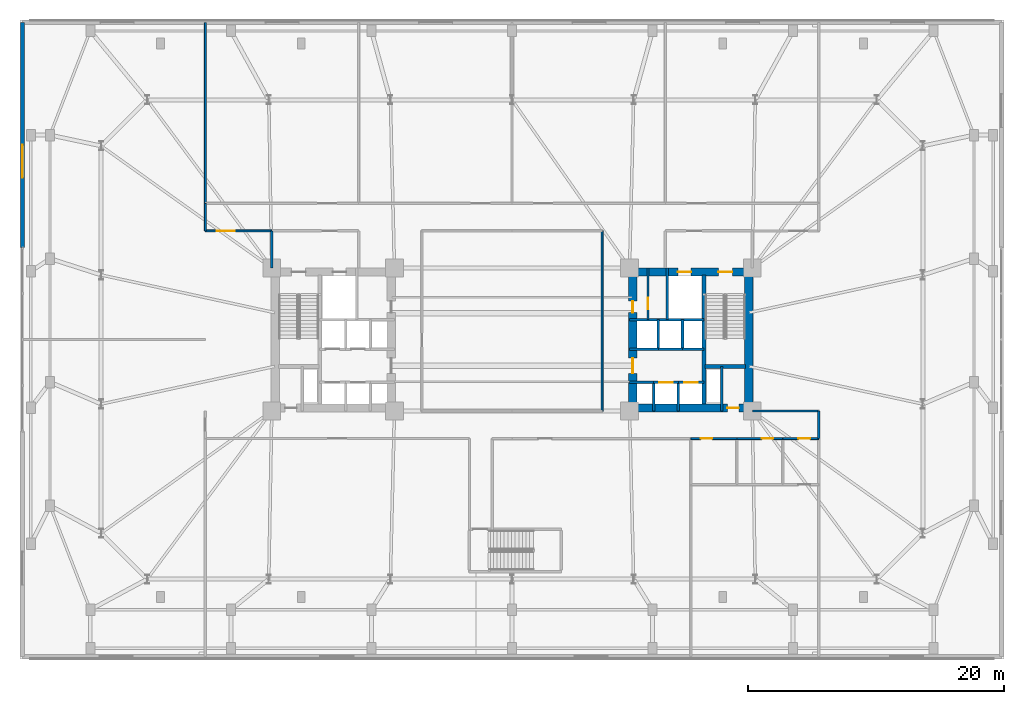
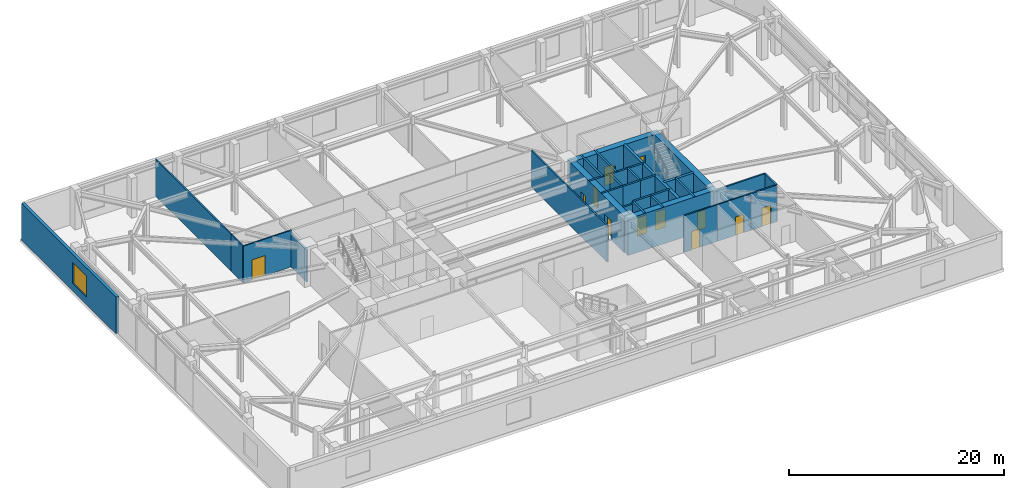
# One storey, part 16 of 23: 31 walls, 12 doors, 1 window, 13 openings.
"""IFC4 building model written with IfcOpenShell, lengths in metres."""

from ifc_helpers import new_model, si_unit, direction, frame, frame_2d, origin, place, context, subcontext, project, spatial, rectangle, extrude, material, layer, layer_set, type_object, element, fill, save


model = new_model("IFC4")

# Units and contexts
model_context = context("Model", 3, precision=1e-05, world=origin(), true_north=direction((0.0, 1.0)))
body_context = subcontext(model_context, "Body", "Model", "MODEL_VIEW")
ifc_project = project(units=[si_unit("LENGTHUNIT", "METRE"), si_unit("AREAUNIT", "SQUARE_METRE"), si_unit("VOLUMEUNIT", "CUBIC_METRE"), si_unit("PLANEANGLEUNIT", "RADIAN"), si_unit("MASSUNIT", "GRAM", prefix="KILO")], contexts=[model_context])

# Site, building, storey
site_placement = place(None, origin())
site = spatial("IfcSite", under=ifc_project, at=site_placement, CompositionType="ELEMENT")
building_placement = place(site_placement, origin())
building = spatial("IfcBuilding", under=site, at=building_placement, Name="Qobustan Lattice House", CompositionType="ELEMENT")
storey_placement = place(building_placement, frame((0.0, 0.0, 9.0)))
storey = spatial("IfcBuildingStorey", under=building, at=storey_placement, Name="L02", CompositionType="ELEMENT", Elevation=9.0)

# Wall, openings, doors
ifc_material_1 = material(Name="Concrete C60/75", Category="concrete")
ifc_layer_1 = layer(ifc_material_1, 0.639892578125)
ifc_layer_set_1 = layer_set([ifc_layer_1], Name="Concrete C60/75")
wall_type_1 = type_object("IfcWallType", Name="WAL-CORE-640", PredefinedType="SHEAR", material=ifc_layer_set_1)
wall_1_placement = place(storey_placement, frame((9.199951171875, 5.280029296875, 0.0), z_axis=(0.0, 0.0, 1.0), x_axis=(1.0, 0.0, 0.0)))
wall_1 = element("IfcWall", 1, at=wall_1_placement, inside=storey, type_object=wall_type_1, Name="L02 split-core shear wall CE-N", PredefinedType="SHEAR", context=body_context, shape_type="SweptSolid", body=[
    extrude(rectangle(XDim=9.60009765625, YDim=0.639892578125, at=frame_2d((4.800048828125, 0.0))), origin(), (0.0, 0.0, 1.0), 4.169921875),
])
opening_1_placement = place(wall_1_placement, frame((6.949951171875, 0.0, 0.0)))
opening_1 = element("IfcOpeningElement", 2, at=opening_1_placement, cuts=wall_1, Name="Opening SD-01", PredefinedType="OPENING", context=body_context, shape_type="SweptSolid", body=[
    extrude(rectangle(XDim=1.10009765625, YDim=2.14990234375, at=frame_2d((0.550048828125, 1.074951171875))), frame((0.0, 0.329833984375, 0.0), z_axis=(0.0, -1.0, 0.0), x_axis=(1.0, 0.0, 0.0)), (0.0, 0.0, 1.0), 0.659912109375),
])
opening_2_placement = place(wall_1_placement, frame((3.77490234375, 0.0, 0.0)))
opening_2 = element("IfcOpeningElement", 3, at=opening_2_placement, cuts=wall_1, Name="Opening LD-01", PredefinedType="OPENING", context=body_context, shape_type="SweptSolid", body=[
    extrude(rectangle(XDim=1.050048828125, YDim=2.10009765625, at=frame_2d((0.52490234375, 1.050048828125))), frame((0.0, 0.329833984375, 0.0), z_axis=(0.0, -1.0, 0.0), x_axis=(1.0, 0.0, 0.0)), (0.0, 0.0, 1.0), 0.659912109375),
])
ifc_material_2 = material(Name="Persian walnut timber and steel frame door", Category="steel")
door_type_1 = type_object("IfcDoorType", Name="DOR-LIFT-LD-1050x2100", OperationType="NOTDEFINED", PredefinedType="DOOR", material=ifc_material_2)
door_1_placement = place(opening_2_placement, origin())
door_1 = element("IfcDoor", 4, at=door_1_placement, inside=storey, type_object=door_type_1, Name="L02 firefighting lift FF-E landing door", OperationType="DOUBLE_DOOR_SLIDING", OverallHeight=2.10009765625, OverallWidth=1.050048828125, PredefinedType="DOOR", context=body_context, shape_type="SweptSolid", body=[
    extrude(rectangle(XDim=1.050048828125, YDim=2.10009765625, at=frame_2d((0.52490234375, 1.050048828125))), frame((0.0, 0.02490234375, 0.0), z_axis=(0.0, -1.0, 0.0), x_axis=(1.0, 0.0, 0.0)), (0.0, 0.0, 1.0), 0.050048828125),
])
fill(opening_2, door_1)
ifc_material_3 = material(Name="Persian walnut timber and steel frame door", Category="steel")
door_type_2 = type_object("IfcDoorType", Name="DOR-STAIR-FD-1100x2150", OperationType="NOTDEFINED", PredefinedType="DOOR", material=ifc_material_3)
door_2_placement = place(opening_1_placement, origin())
door_2 = element("IfcDoor", 5, at=door_2_placement, inside=storey, type_object=door_type_2, Name="L02 exit stair ST-E1 fire door", OperationType="SINGLE_SWING_LEFT", OverallHeight=2.14990234375, OverallWidth=1.10009765625, PredefinedType="DOOR", context=body_context, shape_type="SweptSolid", body=[
    extrude(rectangle(XDim=1.10009765625, YDim=2.14990234375, at=frame_2d((0.550048828125, 1.074951171875))), frame((0.0, 0.02490234375, 0.0), z_axis=(0.0, -1.0, 0.0), x_axis=(1.0, 0.0, 0.0)), (0.0, 0.0, 1.0), 0.050048828125),
])
fill(opening_1, door_2)

# Wall, opening, door
wall_2_placement = place(storey_placement, frame((9.199951171875, -5.35009765625, 0.0), z_axis=(0.0, 0.0, 1.0), x_axis=(1.0, 0.0, 0.0)))
wall_2 = element("IfcWall", 6, at=wall_2_placement, inside=storey, type_object=wall_type_1, Name="L02 split-core shear wall CE-S", PredefinedType="SHEAR", context=body_context, shape_type="SweptSolid", body=[
    extrude(rectangle(XDim=9.60009765625, YDim=0.639892578125, at=frame_2d((4.800048828125, 0.0))), origin(), (0.0, 0.0, 1.0), 4.169921875),
])
opening_3_placement = place(wall_2_placement, frame((7.64990234375, 0.0, 0.0)))
opening_3 = element("IfcOpeningElement", 7, at=opening_3_placement, cuts=wall_2, Name="Opening RD-01", PredefinedType="OPENING", context=body_context, shape_type="SweptSolid", body=[
    extrude(rectangle(XDim=0.89990234375, YDim=2.10009765625, at=frame_2d((0.449951171875, 1.050048828125))), frame((0.0, 0.329833984375, 0.0), z_axis=(0.0, -1.0, 0.0), x_axis=(1.0, 0.0, 0.0)), (0.0, 0.0, 1.0), 0.659912109375),
])
ifc_material_4 = material(Name="Persian walnut timber and steel frame door", Category="steel")
door_type_3 = type_object("IfcDoorType", Name="DOR-RISER-FD-900x2100", OperationType="NOTDEFINED", PredefinedType="DOOR", material=ifc_material_4)
door_3_placement = place(opening_3_placement, origin())
door_3 = element("IfcDoor", 8, at=door_3_placement, inside=storey, type_object=door_type_3, Name="L02 core service riser access door E", OperationType="SINGLE_SWING_LEFT", OverallHeight=2.10009765625, OverallWidth=0.89990234375, PredefinedType="DOOR", context=body_context, shape_type="SweptSolid", body=[
    extrude(rectangle(XDim=0.89990234375, YDim=2.10009765625, at=frame_2d((0.449951171875, 1.050048828125))), frame((0.0, 0.02490234375, 0.0), z_axis=(0.0, -1.0, 0.0), x_axis=(1.0, 0.0, 0.0)), (0.0, 0.0, 1.0), 0.050048828125),
])
fill(opening_3, door_3)

# Wall, openings, doors
wall_3_placement = place(storey_placement, frame((9.449951171875, -5.050048828125, 0.0), z_axis=(0.0, 0.0, 1.0), x_axis=(0.0, 1.0, 0.0)))
wall_3 = element("IfcWall", 9, at=wall_3_placement, inside=storey, type_object=wall_type_1, Name="L02 split-core shear wall CE-W", PredefinedType="SHEAR", context=body_context, shape_type="SweptSolid", body=[
    extrude(rectangle(XDim=10.10009765625, YDim=0.639892578125, at=frame_2d((5.050048828125, 0.0))), origin(), (0.0, 0.0, 1.0), 4.169921875),
])
opening_4_placement = place(wall_3_placement, frame((7.14990234375, 0.0, 0.0)))
opening_4 = element("IfcOpeningElement", 10, at=opening_4_placement, cuts=wall_3, Name="Opening RD-01", PredefinedType="OPENING", context=body_context, shape_type="SweptSolid", body=[
    extrude(rectangle(XDim=0.89990234375, YDim=2.10009765625, at=frame_2d((0.449951171875, 1.050048828125))), frame((0.0, 0.329833984375, 0.0), z_axis=(0.0, -1.0, 0.0), x_axis=(1.0, 0.0, 0.0)), (0.0, 0.0, 1.0), 0.659912109375),
])
opening_5_placement = place(wall_3_placement, frame((2.39990234375, 0.0, 0.0)))
opening_5 = element("IfcOpeningElement", 11, at=opening_5_placement, cuts=wall_3, Name="Opening FD-01", PredefinedType="OPENING", context=body_context, shape_type="SweptSolid", body=[
    extrude(rectangle(XDim=1.199951171875, YDim=2.14990234375, at=frame_2d((0.60009765625, 1.074951171875))), frame((0.0, 0.329833984375, 0.0), z_axis=(0.0, -1.0, 0.0), x_axis=(1.0, 0.0, 0.0)), (0.0, 0.0, 1.0), 0.659912109375),
])
ifc_material_5 = material(Name="Persian walnut timber and steel frame door", Category="steel")
door_type_4 = type_object("IfcDoorType", Name="DOR-LOBBY-FD-1200x2150", OperationType="NOTDEFINED", PredefinedType="DOOR", material=ifc_material_5)
door_4_placement = place(opening_5_placement, origin())
door_4 = element("IfcDoor", 12, at=door_4_placement, inside=storey, type_object=door_type_4, Name="L02 East passenger lift lobby fire door", OperationType="SINGLE_SWING_LEFT", OverallHeight=2.14990234375, OverallWidth=1.199951171875, PredefinedType="DOOR", context=body_context, shape_type="SweptSolid", body=[
    extrude(rectangle(XDim=1.199951171875, YDim=2.14990234375, at=frame_2d((0.60009765625, 1.074951171875))), frame((0.0, 0.02490234375, 0.0), z_axis=(0.0, -1.0, 0.0), x_axis=(1.0, 0.0, 0.0)), (0.0, 0.0, 1.0), 0.050048828125),
])
fill(opening_5, door_4)
door_5_placement = place(opening_4_placement, origin())
door_5 = element("IfcDoor", 13, at=door_5_placement, inside=storey, type_object=door_type_3, Name="L02 Print and mail closet fire door", OperationType="SINGLE_SWING_RIGHT", OverallHeight=2.10009765625, OverallWidth=0.89990234375, PredefinedType="DOOR", context=body_context, shape_type="SweptSolid", body=[
    extrude(rectangle(XDim=0.89990234375, YDim=2.10009765625, at=frame_2d((0.449951171875, 1.050048828125))), frame((0.0, 0.02490234375, 0.0), z_axis=(0.0, -1.0, 0.0), x_axis=(1.0, 0.0, 0.0)), (0.0, 0.0, 1.0), 0.050048828125),
])
fill(opening_4, door_5)

# Walls
wall_4_placement = place(storey_placement, frame((18.530029296875, -5.050048828125, 0.0), z_axis=(0.0, 0.0, 1.0), x_axis=(0.0, 1.0, 0.0)))
element("IfcWall", 14, at=wall_4_placement, inside=storey, type_object=wall_type_1, Name="L02 split-core shear wall CE-E", PredefinedType="SHEAR", context=body_context, shape_type="SweptSolid", body=[
    extrude(rectangle(XDim=10.10009765625, YDim=0.639892578125, at=frame_2d((5.050048828125, 0.0))), origin(), (0.0, 0.0, 1.0), 4.169921875),
])
ifc_material_6 = material(Name="Concrete C50/60", Category="concrete")
ifc_layer_2 = layer(ifc_material_6, 0.280029296875)
ifc_layer_set_2 = layer_set([ifc_layer_2], Name="Concrete C50/60")
wall_type_2 = type_object("IfcWallType", Name="WAL-CORE-SPINE-280", PredefinedType="SHEAR", material=ifc_layer_set_2)
wall_5_placement = place(storey_placement, frame((15.02001953125, -5.050048828125, 0.0), z_axis=(0.0, 0.0, 1.0), x_axis=(0.0, 1.0, 0.0)))
element("IfcWall", 15, at=wall_5_placement, inside=storey, type_object=wall_type_2, Name="L02 split-core shear wall CE-M", PredefinedType="SHEAR", context=body_context, shape_type="SweptSolid", body=[
    extrude(rectangle(XDim=10.10009765625, YDim=0.300048828125, at=frame_2d((5.050048828125, 0.0))), origin(), (0.0, 0.0, 1.0), 4.169921875),
])
wall_6_placement = place(storey_placement, frame((15.10009765625, -2.110107421875, 0.0), z_axis=(0.0, 0.0, 1.0), x_axis=(1.0, 0.0, 0.0)))
element("IfcWall", 16, at=wall_6_placement, inside=storey, type_object=wall_type_2, Name="L02 split-core shear wall CE-ST", PredefinedType="SHEAR", context=body_context, shape_type="SweptSolid", body=[
    extrude(rectangle(XDim=3.179931640625, YDim=0.300048828125, at=frame_2d((1.58984375, 0.0))), origin(), (0.0, 0.0, 1.0), 4.169921875),
])

# Wall, opening, window
ifc_material_7 = material(Name="Precast concrete C40/50", Category="concrete")
ifc_layer_3 = layer(ifc_material_7, 0.320068359375)
ifc_layer_set_3 = layer_set([ifc_layer_3], Name="Precast concrete C40/50")
wall_type_3 = type_object("IfcWallType", Name="WAL-EXT-STONE-320", PredefinedType="SOLIDWALL", material=ifc_layer_set_3)
wall_7_placement = place(storey_placement, frame((-38.300048828125, 7.199951171875, 0.0), z_axis=(0.0, 0.0, 1.0), x_axis=(0.0, 1.0, 0.0)))
wall_7 = element("IfcWall", 17, at=wall_7_placement, inside=storey, type_object=wall_type_3, Name="L02 podium stone wall 1B", PredefinedType="SOLIDWALL", context=body_context, shape_type="SweptSolid", body=[
    extrude(rectangle(XDim=17.60009765625, YDim=0.320068359375, at=frame_2d((8.800048828125, 0.0))), origin(), (0.0, 0.0, 1.0), 4.169921875),
])
opening_6_placement = place(wall_7_placement, frame((5.43994140625, 0.0, 0.85009765625)))
opening_6 = element("IfcOpeningElement", 18, at=opening_6_placement, cuts=wall_7, Name="Opening WN-06", PredefinedType="OPENING", context=body_context, shape_type="SweptSolid", body=[
    extrude(rectangle(XDim=2.60009765625, YDim=2.39990234375, at=frame_2d((1.300048828125, 1.199951171875))), frame((0.0, 0.169921875, 0.0), z_axis=(0.0, -1.0, 0.0), x_axis=(1.0, 0.0, 0.0)), (0.0, 0.0, 1.0), 0.340087890625),
])
ifc_material_8 = material(Name="Double-glazed low-E aluminium window", Category="aluminium")
window_type = type_object("IfcWindowType", Name="WIN-POD-2600x2400", PartitioningType="SINGLE_PANEL", PredefinedType="WINDOW", material=ifc_material_8)
window_placement = place(opening_6_placement, origin())
window = element("IfcWindow", 19, at=window_placement, inside=storey, type_object=window_type, Name="L02 3D printing and laser workshop window", OverallHeight=2.39990234375, OverallWidth=2.60009765625, PartitioningType="SINGLE_PANEL", PredefinedType="WINDOW", context=body_context, shape_type="SweptSolid", body=[
    extrude(rectangle(XDim=2.60009765625, YDim=2.39990234375, at=frame_2d((1.300048828125, 1.199951171875))), frame((0.0, 0.030029296875, 0.0), z_axis=(0.0, -1.0, 0.0), x_axis=(1.0, 0.0, 0.0)), (0.0, 0.0, 1.0), 0.06005859375),
])
fill(opening_6, window)

# Wall, opening, door
ifc_material_9 = material(Name="Gypsum fireboard acoustic partition", Category="gypsum")
ifc_layer_4 = layer(ifc_material_9, 0.179931640625)
ifc_layer_set_4 = layer_set([ifc_layer_4], Name="Gypsum fireboard acoustic partition")
wall_type_4 = type_object("IfcWallType", Name="WAL-FIRE-180", PredefinedType="PARTITIONING", material=ifc_layer_set_4)
wall_8_placement = place(storey_placement, frame((10.64990234375, 1.550048828125, 0.0), z_axis=(0.0, 0.0, 1.0), x_axis=(0.0, 1.0, 0.0)))
wall_8 = element("IfcWall", 20, at=wall_8_placement, inside=storey, type_object=wall_type_4, Name="L02 interior partition 23", PredefinedType="PARTITIONING", context=body_context, shape_type="SweptSolid", body=[
    extrude(rectangle(XDim=4.050048828125, YDim=0.179931640625, at=frame_2d((2.02490234375, 0.0))), origin(), (0.0, 0.0, 1.0), 4.169921875),
])
opening_7_placement = place(wall_8_placement, frame((0.828857421875, 0.0, 0.0)))
opening_7 = element("IfcOpeningElement", 21, at=opening_7_placement, cuts=wall_8, Name="Opening RD-01", PredefinedType="OPENING", context=body_context, shape_type="SweptSolid", body=[
    extrude(rectangle(XDim=0.89990234375, YDim=2.10009765625, at=frame_2d((0.449951171875, 1.050048828125))), frame((0.0, 0.099853515625, 0.0), z_axis=(0.0, -1.0, 0.0), x_axis=(1.0, 0.0, 0.0)), (0.0, 0.0, 1.0), 0.199951171875),
])
door_6_placement = place(opening_7_placement, origin())
door_6 = element("IfcDoor", 22, at=door_6_placement, inside=storey, type_object=door_type_3, Name="L02 Print and mail closet to Core utility store door", OperationType="SINGLE_SWING_LEFT", OverallHeight=2.10009765625, OverallWidth=0.89990234375, PredefinedType="DOOR", context=body_context, shape_type="SweptSolid", body=[
    extrude(rectangle(XDim=0.89990234375, YDim=2.10009765625, at=frame_2d((0.449951171875, 1.050048828125))), frame((0.0, 0.02490234375, 0.0), z_axis=(0.0, -1.0, 0.0), x_axis=(1.0, 0.0, 0.0)), (0.0, 0.0, 1.0), 0.050048828125),
])
fill(opening_7, door_6)

ifc_material_10 = material(Name="Acoustic twin-stud gypsum partition", Category="gypsum")
ifc_layer_5 = layer(ifc_material_10, 0.14990234375)
ifc_layer_set_5 = layer_set([ifc_layer_5], Name="Acoustic twin-stud gypsum partition")
wall_type_5 = type_object("IfcWallType", Name="WAL-PART-150", PredefinedType="PARTITIONING", material=ifc_layer_set_5)
wall_9_placement = place(storey_placement, frame((-18.800048828125, 8.5, 0.0), z_axis=(0.0, 0.0, 1.0), x_axis=(-1.0, 0.0, 0.0)))
wall_9 = element("IfcWall", 23, at=wall_9_placement, inside=storey, type_object=wall_type_5, Name="L02 interior partition 36", PredefinedType="PARTITIONING", context=body_context, shape_type="SweptSolid", body=[
    extrude(rectangle(XDim=5.199951171875, YDim=0.14990234375, at=frame_2d((2.60009765625, 0.0))), origin(), (0.0, 0.0, 1.0), 4.169921875),
])
opening_8_placement = place(wall_9_placement, frame((2.889892578125, 0.0, 0.0)))
opening_8 = element("IfcOpeningElement", 24, at=opening_8_placement, cuts=wall_9, Name="Opening ID-04", PredefinedType="OPENING", context=body_context, shape_type="SweptSolid", body=[
    extrude(rectangle(XDim=1.39990234375, YDim=2.300048828125, at=frame_2d((0.699951171875, 1.14990234375))), frame((0.0, 0.0849609375, 0.0), z_axis=(0.0, -1.0, 0.0), x_axis=(1.0, 0.0, 0.0)), (0.0, 0.0, 1.0), 0.169921875),
])
ifc_material_11 = material(Name="Persian walnut timber and steel frame door", Category="steel")
door_type_5 = type_object("IfcDoorType", Name="DOR-POD-1400x2300", OperationType="NOTDEFINED", PredefinedType="DOOR", material=ifc_material_11)
door_7_placement = place(opening_8_placement, origin())
door_7 = element("IfcDoor", 25, at=door_7_placement, inside=storey, type_object=door_type_5, Name="L02 North-west podium corridor to 3D printing and laser workshop door", OperationType="SINGLE_SWING_RIGHT", OverallHeight=2.300048828125, OverallWidth=1.39990234375, PredefinedType="DOOR", context=body_context, shape_type="SweptSolid", body=[
    extrude(rectangle(XDim=1.39990234375, YDim=2.300048828125, at=frame_2d((0.699951171875, 1.14990234375))), frame((0.0, 0.02490234375, 0.0), z_axis=(0.0, -1.0, 0.0), x_axis=(1.0, 0.0, 0.0)), (0.0, 0.0, 1.0), 0.050048828125),
])
fill(opening_8, door_7)

# Wall
wall_10_placement = place(storey_placement, frame((-24.0, 8.5, 0.0), z_axis=(0.0, 0.0, 1.0), x_axis=(0.0, 1.0, 0.0)))
element("IfcWall", 26, at=wall_10_placement, inside=storey, type_object=wall_type_5, Name="L02 interior partition 37", PredefinedType="PARTITIONING", context=body_context, shape_type="SweptSolid", body=[
    extrude(rectangle(XDim=2.14990234375, YDim=0.14990234375, at=frame_2d((1.074951171875, 0.0))), origin(), (0.0, 0.0, 1.0), 4.169921875),
])

# Wall, opening, door
wall_11_placement = place(storey_placement, frame((24.0, -7.75, 0.0), z_axis=(0.0, 0.0, 1.0), x_axis=(-1.0, 0.0, 0.0)))
wall_11 = element("IfcWall", 27, at=wall_11_placement, inside=storey, type_object=wall_type_5, Name="L02 interior partition 53", PredefinedType="PARTITIONING", context=body_context, shape_type="SweptSolid", body=[
    extrude(rectangle(XDim=2.800048828125, YDim=0.14990234375, at=frame_2d((1.39990234375, 0.0))), origin(), (0.0, 0.0, 1.0), 4.169921875),
])
opening_9_placement = place(wall_11_placement, frame((0.666259765625, 0.0, 0.0)))
opening_9 = element("IfcOpeningElement", 28, at=opening_9_placement, cuts=wall_11, Name="Opening ID-01", PredefinedType="OPENING", context=body_context, shape_type="SweptSolid", body=[
    extrude(rectangle(XDim=0.949951171875, YDim=2.10009765625, at=frame_2d((0.47509765625, 1.050048828125))), frame((0.0, 0.0849609375, 0.0), z_axis=(0.0, -1.0, 0.0), x_axis=(1.0, 0.0, 0.0)), (0.0, 0.0, 1.0), 0.169921875),
])
ifc_material_12 = material(Name="Persian walnut timber and steel frame door", Category="steel")
door_type_6 = type_object("IfcDoorType", Name="DOR-ROOM-950x2100", OperationType="NOTDEFINED", PredefinedType="DOOR", material=ifc_material_12)
door_8_placement = place(opening_9_placement, origin())
door_8 = element("IfcDoor", 29, at=door_8_placement, inside=storey, type_object=door_type_6, Name="L02 South-east podium corridor to Janitor supply store door", OperationType="SINGLE_SWING_LEFT", OverallHeight=2.10009765625, OverallWidth=0.949951171875, PredefinedType="DOOR", context=body_context, shape_type="SweptSolid", body=[
    extrude(rectangle(XDim=0.949951171875, YDim=2.10009765625, at=frame_2d((0.47509765625, 1.050048828125))), frame((0.0, 0.02490234375, 0.0), z_axis=(0.0, -1.0, 0.0), x_axis=(1.0, 0.0, 0.0)), (0.0, 0.0, 1.0), 0.050048828125),
])
fill(opening_9, door_8)

# Walls
wall_12_placement = place(storey_placement, frame((7.050048828125, -5.60009765625, 0.0), z_axis=(0.0, 0.0, 1.0), x_axis=(0.0, 1.0, 0.0)))
element("IfcWall", 30, at=wall_12_placement, inside=storey, type_object=wall_type_5, Name="L02 interior partition 58", PredefinedType="PARTITIONING", context=body_context, shape_type="SweptSolid", body=[
    extrude(rectangle(XDim=14.10009765625, YDim=0.14990234375, at=frame_2d((7.050048828125, 0.0))), origin(), (0.0, 0.0, 1.0), 4.169921875),
])
wall_13_placement = place(storey_placement, frame((-24.0, 24.800048828125, 0.0), z_axis=(0.0, 0.0, 1.0), x_axis=(0.0, -1.0, 0.0)))
element("IfcWall", 31, at=wall_13_placement, inside=storey, type_object=wall_type_5, Name="L02 interior partition 63", PredefinedType="PARTITIONING", context=body_context, shape_type="SweptSolid", body=[
    extrude(rectangle(XDim=14.150146484375, YDim=0.14990234375, at=frame_2d((7.0751953125, 0.0))), origin(), (0.0, 0.0, 1.0), 4.169921875),
])
ifc_material_13 = material(Name="High-mass acoustic twin-stud partition", Category="gypsum")
ifc_layer_6 = layer(ifc_material_13, 0.1650390625)
ifc_layer_set_6 = layer_set([ifc_layer_6], Name="High-mass acoustic twin-stud partition")
wall_type_6 = type_object("IfcWallType", Name="WAL-PART-165", PredefinedType="PARTITIONING", material=ifc_layer_set_6)
wall_14_placement = place(storey_placement, frame((18.800048828125, -5.60009765625, 0.0), z_axis=(0.0, 0.0, 1.0), x_axis=(1.0, 0.0, 0.0)))
element("IfcWall", 32, at=wall_14_placement, inside=storey, type_object=wall_type_6, Name="L02 interior partition 55", PredefinedType="PARTITIONING", context=body_context, shape_type="SweptSolid", body=[
    extrude(rectangle(XDim=5.199951171875, YDim=0.1650390625, at=frame_2d((2.60009765625, 0.0))), origin(), (0.0, 0.0, 1.0), 4.169921875),
])
wall_15_placement = place(storey_placement, frame((24.0, -5.60009765625, 0.0), z_axis=(0.0, 0.0, 1.0), x_axis=(0.0, -1.0, 0.0)))
element("IfcWall", 33, at=wall_15_placement, inside=storey, type_object=wall_type_6, Name="L02 interior partition 56", PredefinedType="PARTITIONING", context=body_context, shape_type="SweptSolid", body=[
    extrude(rectangle(XDim=2.14990234375, YDim=0.1650390625, at=frame_2d((1.074951171875, 0.0))), origin(), (0.0, 0.0, 1.0), 4.169921875),
])
ifc_material_14 = material(Name="Two-hour gypsum fireboard acoustic partition", Category="gypsum")
ifc_layer_7 = layer(ifc_material_14, 0.199951171875)
ifc_layer_set_7 = layer_set([ifc_layer_7], Name="Two-hour gypsum fireboard acoustic partition")
wall_type_7 = type_object("IfcWallType", Name="WAL-PROT-200", PredefinedType="PARTITIONING", material=ifc_layer_set_7)
wall_16_placement = place(storey_placement, frame((-18.800048828125, 8.5, 0.0), z_axis=(0.0, 0.0, 1.0), x_axis=(0.0, -1.0, 0.0)))
element("IfcWall", 34, at=wall_16_placement, inside=storey, type_object=wall_type_7, Name="L02 interior partition 5", PredefinedType="PARTITIONING", context=body_context, shape_type="SweptSolid", body=[
    extrude(rectangle(XDim=2.89990234375, YDim=0.199951171875, at=frame_2d((1.449951171875, 0.0))), origin(), (0.0, 0.0, 1.0), 3.655029296875),
])
ifc_material_15 = material(Name="Concrete C40/50", Category="concrete")
ifc_layer_8 = layer(ifc_material_15, 0.199951171875)
ifc_layer_set_8 = layer_set([ifc_layer_8], Name="Concrete C40/50")
wall_type_8 = type_object("IfcWallType", Name="WAL-SHAFT-200", PredefinedType="PARTITIONING", material=ifc_layer_set_8)
wall_17_placement = place(storey_placement, frame((16.39990234375, -2.110107421875, 0.0), z_axis=(0.0, 0.0, 1.0), x_axis=(0.0, -1.0, 0.0)))
element("IfcWall", 35, at=wall_17_placement, inside=storey, type_object=wall_type_8, Name="L02 interior partition 18", PredefinedType="PARTITIONING", context=body_context, shape_type="SweptSolid", body=[
    extrude(rectangle(XDim=3.489990234375, YDim=0.199951171875, at=frame_2d((1.7451171875, 0.0))), origin(), (0.0, 0.0, 1.0), 4.169921875),
])
wall_18_placement = place(storey_placement, frame((12.14990234375, 5.60009765625, 0.0), z_axis=(0.0, 0.0, 1.0), x_axis=(0.0, -1.0, 0.0)))
element("IfcWall", 36, at=wall_18_placement, inside=storey, type_object=wall_type_8, Name="L02 interior partition 19", PredefinedType="PARTITIONING", context=body_context, shape_type="SweptSolid", body=[
    extrude(rectangle(XDim=4.050048828125, YDim=0.199951171875, at=frame_2d((2.02490234375, 0.0))), origin(), (0.0, 0.0, 1.0), 4.169921875),
])
wall_19_placement = place(storey_placement, frame((9.199951171875, -3.35009765625, 0.0), z_axis=(0.0, 0.0, 1.0), x_axis=(1.0, 0.0, 0.0)))
element("IfcWall", 37, at=wall_19_placement, inside=storey, type_object=wall_type_8, Name="L02 interior partition 25", PredefinedType="PARTITIONING", context=body_context, shape_type="SweptSolid", body=[
    extrude(rectangle(XDim=1.880126953125, YDim=0.199951171875, at=frame_2d((0.93994140625, 0.0))), origin(), (0.0, 0.0, 1.0), 3.885009765625),
])

# Wall, opening, door
wall_20_placement = place(storey_placement, frame((11.080078125, -3.35009765625, 0.0), z_axis=(0.0, 0.0, 1.0), x_axis=(1.0, 0.0, 0.0)))
wall_20 = element("IfcWall", 38, at=wall_20_placement, inside=storey, type_object=wall_type_8, Name="L02 interior partition 26", PredefinedType="PARTITIONING", context=body_context, shape_type="SweptSolid", body=[
    extrude(rectangle(XDim=1.93994140625, YDim=0.199951171875, at=frame_2d((0.969970703125, 0.0))), origin(), (0.0, 0.0, 1.0), 4.169921875),
])
opening_10_placement = place(wall_20_placement, frame((0.445068359375, 0.0, 0.0)))
opening_10 = element("IfcOpeningElement", 39, at=opening_10_placement, cuts=wall_20, Name="Opening LD-01", PredefinedType="OPENING", context=body_context, shape_type="SweptSolid", body=[
    extrude(rectangle(XDim=1.050048828125, YDim=2.10009765625, at=frame_2d((0.52490234375, 1.050048828125))), frame((0.0, 0.10986328125, 0.0), z_axis=(0.0, -1.0, 0.0), x_axis=(1.0, 0.0, 0.0)), (0.0, 0.0, 1.0), 0.219970703125),
])
door_9_placement = place(opening_10_placement, origin())
door_9 = element("IfcDoor", 40, at=door_9_placement, inside=storey, type_object=door_type_1, Name="L02 lift landing door", OperationType="DOUBLE_DOOR_SLIDING", OverallHeight=2.10009765625, OverallWidth=1.050048828125, PredefinedType="DOOR", context=body_context, shape_type="SweptSolid", body=[
    extrude(rectangle(XDim=1.050048828125, YDim=2.10009765625, at=frame_2d((0.52490234375, 1.050048828125))), frame((0.0, 0.02490234375, 0.0), z_axis=(0.0, -1.0, 0.0), x_axis=(1.0, 0.0, 0.0)), (0.0, 0.0, 1.0), 0.050048828125),
])
fill(opening_10, door_9)

wall_21_placement = place(storey_placement, frame((13.02001953125, -3.35009765625, 0.0), z_axis=(0.0, 0.0, 1.0), x_axis=(1.0, 0.0, 0.0)))
wall_21 = element("IfcWall", 41, at=wall_21_placement, inside=storey, type_object=wall_type_8, Name="L02 interior partition 27", PredefinedType="PARTITIONING", context=body_context, shape_type="SweptSolid", body=[
    extrude(rectangle(XDim=2.0, YDim=0.199951171875, at=frame_2d((1.0, 0.0))), origin(), (0.0, 0.0, 1.0), 4.169921875),
])
opening_11_placement = place(wall_21_placement, frame((0.47509765625, 0.0, 0.0)))
opening_11 = element("IfcOpeningElement", 42, at=opening_11_placement, cuts=wall_21, Name="Opening LD-01", PredefinedType="OPENING", context=body_context, shape_type="SweptSolid", body=[
    extrude(rectangle(XDim=1.050048828125, YDim=2.10009765625, at=frame_2d((0.52490234375, 1.050048828125))), frame((0.0, 0.10986328125, 0.0), z_axis=(0.0, -1.0, 0.0), x_axis=(1.0, 0.0, 0.0)), (0.0, 0.0, 1.0), 0.219970703125),
])
door_10_placement = place(opening_11_placement, origin())
door_10 = element("IfcDoor", 43, at=door_10_placement, inside=storey, type_object=door_type_1, Name="L02 lift landing door", OperationType="DOUBLE_DOOR_SLIDING", OverallHeight=2.10009765625, OverallWidth=1.050048828125, PredefinedType="DOOR", context=body_context, shape_type="SweptSolid", body=[
    extrude(rectangle(XDim=1.050048828125, YDim=2.10009765625, at=frame_2d((0.52490234375, 1.050048828125))), frame((0.0, 0.02490234375, 0.0), z_axis=(0.0, -1.0, 0.0), x_axis=(1.0, 0.0, 0.0)), (0.0, 0.0, 1.0), 0.050048828125),
])
fill(opening_11, door_10)

# Walls
wall_22_placement = place(storey_placement, frame((11.4599609375, -0.75, 0.0), z_axis=(0.0, 0.0, 1.0), x_axis=(-1.0, 0.0, 0.0)))
element("IfcWall", 44, at=wall_22_placement, inside=storey, type_object=wall_type_8, Name="L02 interior partition 28", PredefinedType="PARTITIONING", context=body_context, shape_type="SweptSolid", body=[
    extrude(rectangle(XDim=2.260009765625, YDim=0.199951171875, at=frame_2d((1.1298828125, 0.0))), origin(), (0.0, 0.0, 1.0), 4.169921875),
])
wall_23_placement = place(storey_placement, frame((13.340087890625, -0.75, 0.0), z_axis=(0.0, 0.0, 1.0), x_axis=(-1.0, 0.0, 0.0)))
element("IfcWall", 45, at=wall_23_placement, inside=storey, type_object=wall_type_8, Name="L02 interior partition 29", PredefinedType="PARTITIONING", context=body_context, shape_type="SweptSolid", body=[
    extrude(rectangle(XDim=1.880126953125, YDim=0.199951171875, at=frame_2d((0.93994140625, 0.0))), origin(), (0.0, 0.0, 1.0), 4.169921875),
])
wall_24_placement = place(storey_placement, frame((15.02001953125, -0.75, 0.0), z_axis=(0.0, 0.0, 1.0), x_axis=(-1.0, 0.0, 0.0)))
element("IfcWall", 46, at=wall_24_placement, inside=storey, type_object=wall_type_8, Name="L02 interior partition 30", PredefinedType="PARTITIONING", context=body_context, shape_type="SweptSolid", body=[
    extrude(rectangle(XDim=1.679931640625, YDim=0.199951171875, at=frame_2d((0.83984375, 0.0))), origin(), (0.0, 0.0, 1.0), 4.169921875),
])
for number, where, z_axis, x_axis, name in (
    (47, (11.080078125, -5.60009765625, 0.0), (0.0, 0.0, 1.0), (0.0, 1.0, 0.0), "L02 interior partition 32"),
    (48, (13.02001953125, -5.60009765625, 0.0), (0.0, 0.0, 1.0), (0.0, 1.0, 0.0), "L02 interior partition 33"),
):
    element("IfcWall", number, at=place(storey_placement, frame(where, z_axis=z_axis, x_axis=x_axis)), inside=storey, type_object=wall_type_8, Name=name, PredefinedType="PARTITIONING", context=body_context, shape_type="SweptSolid", body=[
        extrude(rectangle(XDim=2.25, YDim=0.199951171875, at=frame_2d((1.125, 0.0))), origin(), (0.0, 0.0, 1.0), 4.169921875),
    ])
for number, where, z_axis, x_axis, name in (
    (49, (11.4599609375, -0.75, 0.0), (0.0, 0.0, 1.0), (0.0, 1.0, 0.0), "L02 interior partition 34"),
    (50, (13.340087890625, -0.75, 0.0), (0.0, 0.0, 1.0), (0.0, 1.0, 0.0), "L02 interior partition 35"),
):
    element("IfcWall", number, at=place(storey_placement, frame(where, z_axis=z_axis, x_axis=x_axis)), inside=storey, type_object=wall_type_8, Name=name, PredefinedType="PARTITIONING", context=body_context, shape_type="SweptSolid", body=[
        extrude(rectangle(XDim=2.300048828125, YDim=0.199951171875, at=frame_2d((1.14990234375, 0.0))), origin(), (0.0, 0.0, 1.0), 4.169921875),
    ])
wall_25_placement = place(storey_placement, frame((9.199951171875, 1.550048828125, 0.0), z_axis=(0.0, 0.0, 1.0), x_axis=(1.0, 0.0, 0.0)))
element("IfcWall", 51, at=wall_25_placement, inside=storey, type_object=wall_type_8, Name="L02 interior partition 78", PredefinedType="PARTITIONING", context=body_context, shape_type="SweptSolid", body=[
    extrude(rectangle(XDim=5.820068359375, YDim=0.199951171875, at=frame_2d((2.91015625, 0.0))), origin(), (0.0, 0.0, 1.0), 4.169921875),
])

# Wall, opening, door
ifc_material_16 = material(Name="Moisture-resistant acoustic plumbing wall", Category="gypsum")
ifc_layer_9 = layer(ifc_material_16, 0.14990234375)
ifc_layer_set_9 = layer_set([ifc_layer_9], Name="Moisture-resistant acoustic plumbing wall")
wall_type_9 = type_object("IfcWallType", Name="WAL-WET-150", PredefinedType="PLUMBINGWALL", material=ifc_layer_set_9)
wall_26_placement = place(storey_placement, frame((17.60009765625, -7.75, 0.0), z_axis=(0.0, 0.0, 1.0), x_axis=(-1.0, 0.0, 0.0)))
wall_26 = element("IfcWall", 52, at=wall_26_placement, inside=storey, type_object=wall_type_9, Name="L02 interior partition 51", PredefinedType="PLUMBINGWALL", context=body_context, shape_type="SweptSolid", body=[
    extrude(rectangle(XDim=3.60009765625, YDim=0.14990234375, at=frame_2d((1.800048828125, 0.0))), origin(), (0.0, 0.0, 1.0), 4.169921875),
])
opening_12_placement = place(wall_26_placement, frame((1.927490234375, 0.0, 0.0)))
opening_12 = element("IfcOpeningElement", 53, at=opening_12_placement, cuts=wall_26, Name="Opening WD-01", PredefinedType="OPENING", context=body_context, shape_type="SweptSolid", body=[
    extrude(rectangle(XDim=0.89990234375, YDim=2.10009765625, at=frame_2d((0.449951171875, 1.050048828125))), frame((0.0, 0.0849609375, 0.0), z_axis=(0.0, -1.0, 0.0), x_axis=(1.0, 0.0, 0.0)), (0.0, 0.0, 1.0), 0.169921875),
])
ifc_material_17 = material(Name="Persian walnut timber and steel frame door", Category="steel")
door_type_7 = type_object("IfcDoorType", Name="DOR-WET-900x2100", OperationType="NOTDEFINED", PredefinedType="DOOR", material=ifc_material_17)
door_11_placement = place(opening_12_placement, origin())
door_11 = element("IfcDoor", 54, at=door_11_placement, inside=storey, type_object=door_type_7, Name="L02 South-east podium corridor to Public WC door", OperationType="SINGLE_SWING_LEFT", OverallHeight=2.10009765625, OverallWidth=0.89990234375, PredefinedType="DOOR", context=body_context, shape_type="SweptSolid", body=[
    extrude(rectangle(XDim=0.89990234375, YDim=2.10009765625, at=frame_2d((0.449951171875, 1.050048828125))), frame((0.0, 0.02490234375, 0.0), z_axis=(0.0, -1.0, 0.0), x_axis=(1.0, 0.0, 0.0)), (0.0, 0.0, 1.0), 0.050048828125),
])
fill(opening_12, door_11)

wall_27_placement = place(storey_placement, frame((21.199951171875, -7.75, 0.0), z_axis=(0.0, 0.0, 1.0), x_axis=(-1.0, 0.0, 0.0)))
wall_27 = element("IfcWall", 55, at=wall_27_placement, inside=storey, type_object=wall_type_9, Name="L02 interior partition 52", PredefinedType="PLUMBINGWALL", context=body_context, shape_type="SweptSolid", body=[
    extrude(rectangle(XDim=3.599853515625, YDim=0.14990234375, at=frame_2d((1.7998046875, 0.0))), origin(), (0.0, 0.0, 1.0), 4.169921875),
])
opening_13_placement = place(wall_27_placement, frame((0.7724609375, 0.0, 0.0)))
opening_13 = element("IfcOpeningElement", 56, at=opening_13_placement, cuts=wall_27, Name="Opening WD-01", PredefinedType="OPENING", context=body_context, shape_type="SweptSolid", body=[
    extrude(rectangle(XDim=0.89990234375, YDim=2.10009765625, at=frame_2d((0.449951171875, 1.050048828125))), frame((0.0, 0.0849609375, 0.0), z_axis=(0.0, -1.0, 0.0), x_axis=(1.0, 0.0, 0.0)), (0.0, 0.0, 1.0), 0.169921875),
])
door_12_placement = place(opening_13_placement, origin())
door_12 = element("IfcDoor", 57, at=door_12_placement, inside=storey, type_object=door_type_7, Name="L02 South-east podium corridor to Accessible WC door", OperationType="SINGLE_SWING_RIGHT", OverallHeight=2.10009765625, OverallWidth=0.89990234375, PredefinedType="DOOR", context=body_context, shape_type="SweptSolid", body=[
    extrude(rectangle(XDim=0.89990234375, YDim=2.10009765625, at=frame_2d((0.449951171875, 1.050048828125))), frame((0.0, 0.02490234375, 0.0), z_axis=(0.0, -1.0, 0.0), x_axis=(1.0, 0.0, 0.0)), (0.0, 0.0, 1.0), 0.050048828125),
])
fill(opening_13, door_12)

save(model, "model.ifc")
